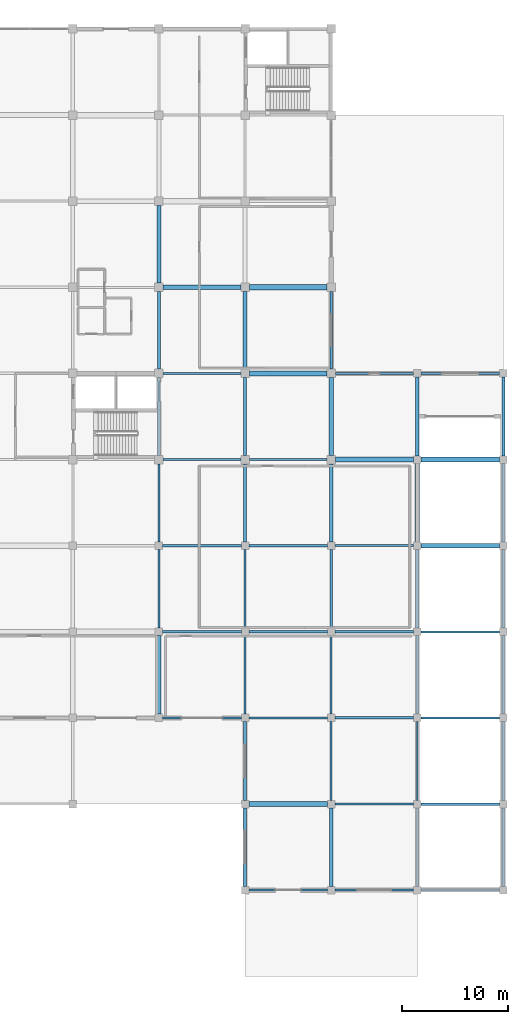
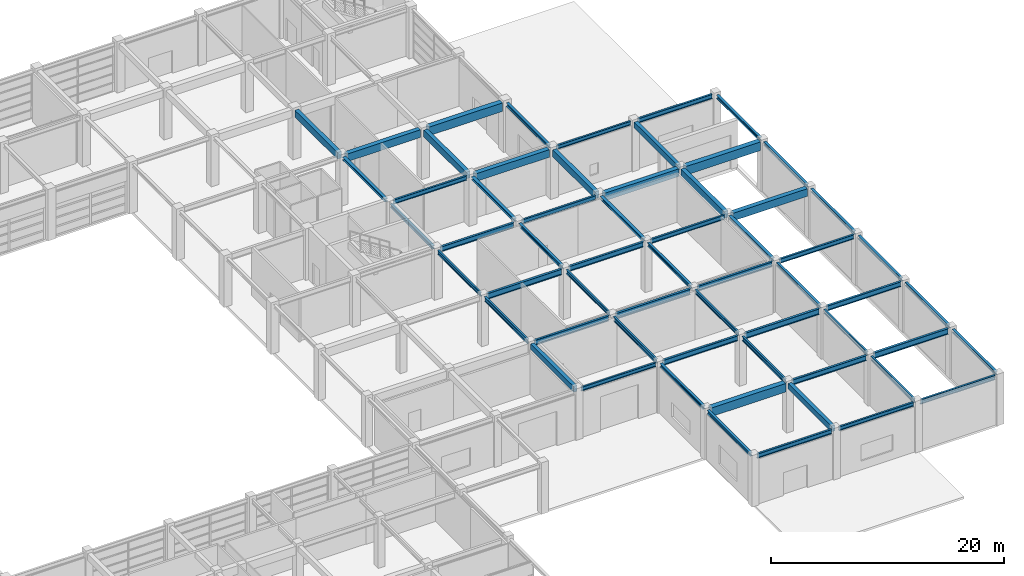
# One storey, part 26 of 52: 60 beams.
"""IFC4 building model written with IfcOpenShell, lengths in metres."""

import ifcopenshell
import ifcopenshell.guid

model = None  # the IFC model being written
_history = None  # IfcOwnerHistory: only IFC2X3 demands one
_inside = {}  # id of a spatial element -> (the spatial element, [elements in it])
_under = {}  # id of a project, library or spatial element -> (it, [spatial elements below it])
_declared = {}  # id of a project -> (the project, [libraries it declares])
_typed = {}  # id of a type object -> (the type object, [elements of that type])
_made_of = {}  # id of a material, layer set ... -> (it, [elements and type objects made of it])


def new_model(schema):
    """Start an empty IFC model of exactly this schema.

    Asked for "IFC4X3", IfcOpenShell would pick the latest addendum, in which some entities
    have other attributes; the version numbers below select the first issue.
    IFC2X3 requires an IfcOwnerHistory on every rooted entity: one is made here for all.
    """
    global model, _history
    if schema == "IFC4X3":
        model = ifcopenshell.file(schema_version=(4, 3, 0, 0))
    else:
        model = ifcopenshell.file(schema=schema)
    _inside.clear()
    _under.clear()
    _declared.clear()
    _typed.clear()
    _made_of.clear()
    _history = None
    if model.schema == "IFC2X3":
        org = make("IfcOrganization", Name="unknown")
        user = make(
            "IfcPersonAndOrganization",
            ThePerson=make("IfcPerson", FamilyName="unknown"),
            TheOrganization=org,
        )
        app = make(
            "IfcApplication",
            ApplicationDeveloper=org,
            Version="unknown",
            ApplicationFullName="unknown",
            ApplicationIdentifier="unknown",
        )
        _history = make(
            "IfcOwnerHistory",
            OwningUser=user,
            OwningApplication=app,
            ChangeAction="ADDED",
            CreationDate=0,
        )
    return model


def make(cls, **values):
    """One entity of the class cls with the attributes given. An attribute that is None is left unset."""
    return model.create_entity(
        cls, **{name: value for name, value in values.items() if value is not None}
    )


def rooted(cls, **values):
    """An entity with a GlobalId (a new one), such as an element, a storey or a relation."""
    return make(cls, GlobalId=ifcopenshell.guid.new(), OwnerHistory=_history, **values)


def si_unit(unit_type, name, prefix=None):
    """IfcSIUnit, for example si_unit("LENGTHUNIT", "METRE", prefix="MILLI")."""
    return make("IfcSIUnit", UnitType=unit_type, Prefix=prefix, Name=name)


def assignment(units):
    """IfcUnitAssignment: the units of a project."""
    return None if units is None else make("IfcUnitAssignment", Units=units)


def point(xyz):
    """IfcCartesianPoint."""
    return None if xyz is None else make("IfcCartesianPoint", Coordinates=xyz)


def direction(xyz):
    """IfcDirection."""
    return None if xyz is None else make("IfcDirection", DirectionRatios=xyz)


def frame(location, z_axis=None, x_axis=None):
    """IfcAxis2Placement3D, a coordinate frame: its origin and axes. An axis left out is left unset."""
    return make(
        "IfcAxis2Placement3D",
        Location=point(location),
        Axis=direction(z_axis),
        RefDirection=direction(x_axis),
    )


def frame_2d(location, x_axis=None):
    """IfcAxis2Placement2D, a coordinate frame in the plane: its origin and x axis."""
    return make(
        "IfcAxis2Placement2D", Location=point(location), RefDirection=direction(x_axis)
    )


def origin():
    """The frame at (0, 0, 0) with its axes left unset."""
    return frame((0.0, 0.0, 0.0))


def origin_2d():
    """The frame at (0, 0) in the plane with its x axis left unset."""
    return frame_2d((0.0, 0.0))


def place(relative_to, where):
    """IfcLocalPlacement: puts the frame where relative to a parent placement (None: the world)."""
    return make(
        "IfcLocalPlacement", PlacementRelTo=relative_to, RelativePlacement=where
    )


def context(
    kind, dimensions, precision=None, world=None, true_north=None, identifier=None
):
    """IfcGeometricRepresentationContext, for example the 3D "Model" context."""
    return make(
        "IfcGeometricRepresentationContext",
        ContextIdentifier=identifier,
        ContextType=kind,
        CoordinateSpaceDimension=dimensions,
        Precision=precision,
        WorldCoordinateSystem=world,
        TrueNorth=true_north,
    )


def subcontext(parent, identifier, kind, view, scale=None):
    """IfcGeometricRepresentationSubContext, for example "Body" below "Model"."""
    return make(
        "IfcGeometricRepresentationSubContext",
        ContextIdentifier=identifier,
        ContextType=kind,
        ParentContext=parent,
        TargetScale=scale,
        TargetView=view,
    )


def project(units=None, contexts=None):
    """IfcProject with its units and contexts."""
    return rooted(
        "IfcProject",
        Name="project",
        RepresentationContexts=contexts,
        UnitsInContext=assignment(units),
    )


def spatial(cls, under=None, at=None, **own):
    """A site, building, storey or space (cls), placed at a placement, below another one or the project."""
    s = rooted(cls, ObjectPlacement=at, **own)
    if under is not None:
        _under.setdefault(under.id(), (under, []))[1].append(s)
    return s


def profile(cls, at=None, kind="AREA", **sizes):
    """A parametric profile (cls). Its sizes go by their IFC names, for example OverallWidth=200.0."""
    return make(cls, ProfileType=kind, Position=at, **sizes)


def rectangle(**sizes):
    """IfcRectangleProfileDef."""
    return profile("IfcRectangleProfileDef", **sizes)


def i_section(**sizes):
    """IfcIShapeProfileDef."""
    return profile("IfcIShapeProfileDef", **sizes)


def extrude(swept, where, along, depth):
    """IfcExtrudedAreaSolid: the profile swept, set in the frame where, extruded along a direction by depth."""
    return make(
        "IfcExtrudedAreaSolid",
        SweptArea=swept,
        Position=where,
        ExtrudedDirection=direction(along),
        Depth=depth,
    )


def shape(context_of_items, identifier, shape_type, items):
    """IfcShapeRepresentation: the items that make up one representation, for example the "Body"."""
    return make(
        "IfcShapeRepresentation",
        ContextOfItems=context_of_items,
        RepresentationIdentifier=identifier,
        RepresentationType=shape_type,
        Items=items,
    )


def material(Name=None, Category=None):
    """IfcMaterial."""
    return make("IfcMaterial", Name=Name, Category=Category)


def material_profile(
    of_material, cross_section, Name=None, Category=None, Priority=None
):
    """IfcMaterialProfile: a cross section and its material."""
    return make(
        "IfcMaterialProfile",
        Name=Name,
        Material=of_material,
        Profile=cross_section,
        Priority=Priority,
        Category=Category,
    )


def profile_set(profiles, Name=None, composite=None):
    """IfcMaterialProfileSet."""
    return make(
        "IfcMaterialProfileSet",
        Name=Name,
        MaterialProfiles=profiles,
        CompositeProfile=composite,
    )


def made_of(thing, what):
    """Note that an element or type object is made of a material, layer set ...; save() writes the relation."""
    if what is not None:
        _made_of.setdefault(what.id(), (what, []))[1].append(thing)
    return thing


def type_object(cls, material=None, **own):
    """A type object (cls), such as IfcWallType, which elements share."""
    return made_of(rooted(cls, **own), material)


def element(
    cls,
    number,
    at=None,
    inside=None,
    cuts=None,
    type_object=None,
    material=None,
    context=None,
    identifier="Body",
    shape_type=None,
    held_by="IfcProductDefinitionShape",
    body=None,
    shapes=None,
    **own,
):
    """One element of the class cls, such as IfcWall. Its Tag is "e" and its number.

    at: its placement. inside: the storey or other place that contains it. cuts: it is an
    opening in that element (IfcRelVoidsElement). A single representation is given by context,
    identifier, shape_type and body (its items); several are given by shapes. held_by: the class
    of the entity that holds the representations. save() writes the other relations.
    """
    e = rooted(cls, Tag="e%d" % number, ObjectPlacement=at, **own)
    if body is not None:
        shapes = [shape(context, identifier, shape_type, body)]
    if shapes is not None:
        e.Representation = make(held_by, Representations=shapes)
    if inside is not None:
        _inside.setdefault(inside.id(), (inside, []))[1].append(e)
    if cuts is not None:
        rooted(
            "IfcRelVoidsElement", RelatingBuildingElement=cuts, RelatedOpeningElement=e
        )
    if type_object is not None:
        _typed.setdefault(type_object.id(), (type_object, []))[1].append(e)
    return made_of(e, material)


def aggregate(whole, parts):
    """IfcRelAggregates: a whole, such as a stair, and the parts it consists of."""
    return rooted("IfcRelAggregates", RelatingObject=whole, RelatedObjects=parts)


def save(model, path):
    """Write the relations noted so far, then the file.

    IfcRelAggregates (storeys below a building ...), IfcRelContainedInSpatialStructure (elements
    in a storey), IfcRelDefinesByType, IfcRelAssociatesMaterial and IfcRelDeclares: one each for
    every whole, place, type object, material and project.
    """
    for whole, parts in _under.values():
        aggregate(whole, parts)
    for where, things in _inside.values():
        rooted(
            "IfcRelContainedInSpatialStructure",
            RelatedElements=things,
            RelatingStructure=where,
        )
    for kind, things in _typed.values():
        rooted("IfcRelDefinesByType", RelatedObjects=things, RelatingType=kind)
    for what, things in _made_of.values():
        rooted("IfcRelAssociatesMaterial", RelatedObjects=things, RelatingMaterial=what)
    for by, libraries in _declared.values():
        rooted("IfcRelDeclares", RelatingContext=by, RelatedDefinitions=libraries)
    model.write(path)


model = new_model("IFC4")

# Units and contexts
model_context = context("Model", 3, precision=1e-05, world=origin(), true_north=direction((0.0, 1.0)))
body_context = subcontext(model_context, "Body", "Model", "MODEL_VIEW")
ifc_project = project(units=[si_unit("LENGTHUNIT", "METRE"), si_unit("AREAUNIT", "SQUARE_METRE"), si_unit("VOLUMEUNIT", "CUBIC_METRE"), si_unit("PLANEANGLEUNIT", "RADIAN"), si_unit("MASSUNIT", "GRAM", prefix="KILO")], contexts=[model_context])

# Site, building, storey
site_placement = place(None, origin())
site = spatial("IfcSite", under=ifc_project, at=site_placement, CompositionType="ELEMENT")
building_placement = place(site_placement, origin())
building = spatial("IfcBuilding", under=site, at=building_placement, Name="Parian Resonance Hall", CompositionType="ELEMENT")
storey_placement = place(building_placement, origin())
storey = spatial("IfcBuildingStorey", under=building, at=storey_placement, Name="L00", CompositionType="ELEMENT", Elevation=0.0)

# Beams
ifc_material_1 = material(Name="Concrete C40/50", Category="concrete")
ifc_material_profile_1 = material_profile(ifc_material_1, rectangle(XDim=0.35009765625, YDim=0.60009765625, at=origin_2d()), Name="RC-BM-350x600")
ifc_profile_set_1 = profile_set([ifc_material_profile_1], Name="Concrete C40/50")
beam_type_1 = type_object("IfcBeamType", Name="BM-RC350x600", PredefinedType="BEAM", material=ifc_profile_set_1)
for number, where, z_axis, x_axis, name in (
    (1, (129.60009765625, 24.64990234375, 4.8701171875), (0.0, 1.0, 0.0), (-1.0, 0.0, 0.0), "GY-L00-0473"),
    (2, (145.800048828125, 8.449951171875, 4.8701171875), (0.0, 1.0, 0.0), (-1.0, 0.0, 0.0), "GY-L00-0491"),
    (3, (153.89990234375, 48.949951171875, 4.8701171875), (0.0, 1.0, 0.0), (-1.0, 0.0, 0.0), "GY-L00-0506"),
):
    element("IfcBeam", number, at=place(storey_placement, frame(where, z_axis=z_axis, x_axis=x_axis)), inside=storey, type_object=beam_type_1, Name=name, PredefinedType="BEAM", context=body_context, shape_type="SweptSolid", body=[
        extrude(rectangle(XDim=0.35009765625, YDim=0.60009765625, at=origin_2d()), origin(), (0.0, 0.0, 1.0), 7.400146484375),
    ])
ifc_material_2 = material(Name="Concrete C40/50", Category="concrete")
ifc_material_profile_2 = material_profile(ifc_material_2, rectangle(XDim=0.39990234375, YDim=0.699951171875, at=origin_2d()), Name="RC-BM-400x700")
ifc_profile_set_2 = profile_set([ifc_material_profile_2], Name="Concrete C40/50")
beam_type_2 = type_object("IfcBeamType", Name="BM-RC400x700", PredefinedType="BEAM", material=ifc_profile_set_2)
beam_1_placement = place(storey_placement, frame((129.60009765625, 65.199951171875, 4.780029296875), z_axis=(0.0, 1.0, 0.0), x_axis=(-1.0, 0.0, 0.0)))
element("IfcBeam", 4, at=beam_1_placement, inside=storey, type_object=beam_type_2, Name="GY-L00-0478", PredefinedType="BEAM", context=body_context, shape_type="SweptSolid", body=[
    extrude(rectangle(XDim=0.39990234375, YDim=0.699951171875, at=origin_2d()), origin(), (0.0, 0.0, 1.0), 7.300048828125),
])
beam_2_placement = place(storey_placement, frame((137.699951171875, 57.10009765625, 4.780029296875), z_axis=(0.0, 1.0, 0.0), x_axis=(-1.0, 0.0, 0.0)))
element("IfcBeam", 5, at=beam_2_placement, inside=storey, type_object=beam_type_2, Name="GY-L00-0487", PredefinedType="BEAM", context=body_context, shape_type="SweptSolid", body=[
    extrude(rectangle(XDim=0.39990234375, YDim=0.699951171875, at=origin_2d()), origin(), (0.0, 0.0, 1.0), 7.2998046875),
])
beam_3_placement = place(storey_placement, frame((145.800048828125, 49.0, 4.780029296875), z_axis=(0.0, 1.0, 0.0), x_axis=(-1.0, 0.0, 0.0)))
element("IfcBeam", 6, at=beam_3_placement, inside=storey, type_object=beam_type_2, Name="GY-L00-0496", PredefinedType="BEAM", context=body_context, shape_type="SweptSolid", body=[
    extrude(rectangle(XDim=0.39990234375, YDim=0.699951171875, at=origin_2d()), origin(), (0.0, 0.0, 1.0), 7.300048828125),
])
beam_4_placement = place(storey_placement, frame((153.89990234375, 40.85009765625, 4.820068359375), z_axis=(0.0, 1.0, 0.0), x_axis=(-1.0, 0.0, 0.0)))
element("IfcBeam", 7, at=beam_4_placement, inside=storey, type_object=beam_type_2, Name="GY-L00-0505", PredefinedType="BEAM", context=body_context, shape_type="SweptSolid", body=[
    extrude(rectangle(XDim=0.39990234375, YDim=0.699951171875, at=origin_2d()), origin(), (0.0, 0.0, 1.0), 7.39990234375),
])
ifc_material_3 = material(Name="Concrete C40/50", Category="concrete")
ifc_material_profile_3 = material_profile(ifc_material_3, rectangle(XDim=0.449951171875, YDim=0.800048828125, at=origin_2d()), Name="RC-BM-450x800")
ifc_profile_set_3 = profile_set([ifc_material_profile_3], Name="Concrete C40/50")
beam_type_3 = type_object("IfcBeamType", Name="BM-RC450x800", PredefinedType="USERDEFINED", material=ifc_profile_set_3)
beam_5_placement = place(storey_placement, frame((130.0, 64.800048828125, 4.72998046875), z_axis=(1.0, 0.0, 0.0), x_axis=(0.0, 1.0, 0.0)))
element("IfcBeam", 8, at=beam_5_placement, inside=storey, type_object=beam_type_3, Name="GX-L00-0368", ObjectType="GIRDER", PredefinedType="USERDEFINED", context=body_context, shape_type="SweptSolid", body=[
    extrude(rectangle(XDim=0.449951171875, YDim=0.800048828125, at=origin_2d()), origin(), (0.0, 0.0, 1.0), 7.300048828125),
])
beam_6_placement = place(storey_placement, frame((138.10009765625, 56.699951171875, 4.72998046875), z_axis=(1.0, 0.0, 0.0), x_axis=(0.0, 1.0, 0.0)))
element("IfcBeam", 9, at=beam_6_placement, inside=storey, type_object=beam_type_3, Name="GX-L00-0378", ObjectType="GIRDER", PredefinedType="USERDEFINED", context=body_context, shape_type="SweptSolid", body=[
    extrude(rectangle(XDim=0.449951171875, YDim=0.800048828125, at=origin_2d()), origin(), (0.0, 0.0, 1.0), 7.2998046875),
])
beam_7_placement = place(storey_placement, frame((146.199951171875, 48.60009765625, 4.77001953125), z_axis=(1.0, 0.0, 0.0), x_axis=(0.0, 1.0, 0.0)))
element("IfcBeam", 10, at=beam_7_placement, inside=storey, type_object=beam_type_3, Name="GX-L00-0388", ObjectType="GIRDER", PredefinedType="USERDEFINED", context=body_context, shape_type="SweptSolid", body=[
    extrude(rectangle(XDim=0.449951171875, YDim=0.800048828125, at=origin_2d()), origin(), (0.0, 0.0, 1.0), 7.35009765625),
])
beam_8_placement = place(storey_placement, frame((154.25, 40.5, 4.77001953125), z_axis=(1.0, 0.0, 0.0), x_axis=(0.0, 1.0, 0.0)))
element("IfcBeam", 11, at=beam_8_placement, inside=storey, type_object=beam_type_3, Name="GX-L00-0394", ObjectType="GIRDER", PredefinedType="USERDEFINED", context=body_context, shape_type="SweptSolid", body=[
    extrude(rectangle(XDim=0.449951171875, YDim=0.800048828125, at=origin_2d()), origin(), (0.0, 0.0, 1.0), 7.39990234375),
])
ifc_material_4 = material(Name="Concrete C40/50", Category="concrete")
ifc_material_profile_4 = material_profile(ifc_material_4, rectangle(XDim=0.5, YDim=0.89990234375, at=origin_2d()), Name="RC-BM-500x900")
ifc_profile_set_4 = profile_set([ifc_material_profile_4], Name="Concrete C40/50")
beam_type_4 = type_object("IfcBeamType", Name="BM-RC500x900", PredefinedType="USERDEFINED", material=ifc_profile_set_4)
beam_9_placement = place(storey_placement, frame((138.050048828125, 16.199951171875, 4.719970703125), z_axis=(1.0, 0.0, 0.0), x_axis=(0.0, 1.0, 0.0)))
element("IfcBeam", 12, at=beam_9_placement, inside=storey, type_object=beam_type_4, Name="GX-L00-0373", ObjectType="GIRDER", PredefinedType="USERDEFINED", context=body_context, shape_type="SweptSolid", body=[
    extrude(rectangle(XDim=0.5, YDim=0.89990234375, at=origin_2d()), origin(), (0.0, 0.0, 1.0), 7.39990234375),
])
beam_10_placement = place(storey_placement, frame((138.10009765625, 64.800048828125, 4.679931640625), z_axis=(1.0, 0.0, 0.0), x_axis=(0.0, 1.0, 0.0)))
element("IfcBeam", 13, at=beam_10_placement, inside=storey, type_object=beam_type_4, Name="GX-L00-0379", ObjectType="GIRDER", PredefinedType="USERDEFINED", context=body_context, shape_type="SweptSolid", body=[
    extrude(rectangle(XDim=0.5, YDim=0.89990234375, at=origin_2d()), origin(), (0.0, 0.0, 1.0), 7.2998046875),
])
beam_11_placement = place(storey_placement, frame((154.25, 48.60009765625, 4.719970703125), z_axis=(1.0, 0.0, 0.0), x_axis=(0.0, 1.0, 0.0)))
element("IfcBeam", 14, at=beam_11_placement, inside=storey, type_object=beam_type_4, Name="GX-L00-0395", ObjectType="GIRDER", PredefinedType="USERDEFINED", context=body_context, shape_type="SweptSolid", body=[
    extrude(rectangle(XDim=0.5, YDim=0.89990234375, at=origin_2d()), origin(), (0.0, 0.0, 1.0), 7.39990234375),
])
ifc_material_5 = material(Name="Steel S355", Category="steel")
ifc_material_profile_5 = material_profile(ifc_material_5, i_section(OverallWidth=0.304931640625, OverallDepth=0.30810546875, WebThickness=0.010009765625, FlangeThickness=0.015380859375, FilletRadius=0.01513671875, at=origin_2d()), Name="W310x97")
ifc_profile_set_5 = profile_set([ifc_material_profile_5], Name="Steel S355")
beam_type_5 = type_object("IfcBeamType", Name="BM-W310x97", PredefinedType="BEAM", material=ifc_profile_set_5)
beam_12_placement = place(storey_placement, frame((129.60009765625, 57.10009765625, 4.97607421875), z_axis=(0.0, 1.0, 0.0), x_axis=(-1.0, 0.0, 0.0)))
element("IfcBeam", 15, at=beam_12_placement, inside=storey, type_object=beam_type_5, Name="GY-L00-0477", PredefinedType="BEAM", context=body_context, shape_type="SweptSolid", body=[
    extrude(i_section(OverallWidth=0.304931640625, OverallDepth=0.30810546875, WebThickness=0.010009765625, FlangeThickness=0.015380859375, FilletRadius=0.01513671875, at=origin_2d()), origin(), (0.0, 0.0, 1.0), 7.2998046875),
])
beam_13_placement = place(storey_placement, frame((137.699951171875, 49.0, 4.97607421875), z_axis=(0.0, 1.0, 0.0), x_axis=(-1.0, 0.0, 0.0)))
element("IfcBeam", 16, at=beam_13_placement, inside=storey, type_object=beam_type_5, Name="GY-L00-0486", PredefinedType="BEAM", context=body_context, shape_type="SweptSolid", body=[
    extrude(i_section(OverallWidth=0.304931640625, OverallDepth=0.30810546875, WebThickness=0.010009765625, FlangeThickness=0.015380859375, FilletRadius=0.01513671875, at=origin_2d()), origin(), (0.0, 0.0, 1.0), 7.300048828125),
])
beam_14_placement = place(storey_placement, frame((145.800048828125, 40.85009765625, 5.01611328125), z_axis=(0.0, 1.0, 0.0), x_axis=(-1.0, 0.0, 0.0)))
element("IfcBeam", 17, at=beam_14_placement, inside=storey, type_object=beam_type_5, Name="GY-L00-0495", PredefinedType="BEAM", context=body_context, shape_type="SweptSolid", body=[
    extrude(i_section(OverallWidth=0.304931640625, OverallDepth=0.30810546875, WebThickness=0.010009765625, FlangeThickness=0.015380859375, FilletRadius=0.01513671875, at=origin_2d()), origin(), (0.0, 0.0, 1.0), 7.349853515625),
])
beam_15_placement = place(storey_placement, frame((153.89990234375, 32.75, 5.01611328125), z_axis=(0.0, 1.0, 0.0), x_axis=(-1.0, 0.0, 0.0)))
element("IfcBeam", 18, at=beam_15_placement, inside=storey, type_object=beam_type_5, Name="GY-L00-0504", PredefinedType="BEAM", context=body_context, shape_type="SweptSolid", body=[
    extrude(i_section(OverallWidth=0.304931640625, OverallDepth=0.30810546875, WebThickness=0.010009765625, FlangeThickness=0.015380859375, FilletRadius=0.01513671875, at=origin_2d()), origin(), (0.0, 0.0, 1.0), 7.39990234375),
])
ifc_material_6 = material(Name="Steel S355", Category="steel")
ifc_material_profile_6 = material_profile(ifc_material_6, i_section(OverallWidth=0.2548828125, OverallDepth=0.35693359375, WebThickness=0.010498046875, FlangeThickness=0.018310546875, FilletRadius=0.01513671875, at=origin_2d()), Name="W360x101")
ifc_profile_set_6 = profile_set([ifc_material_profile_6], Name="Steel S355")
beam_type_6 = type_object("IfcBeamType", Name="BM-W360x101", PredefinedType="SPANDREL", material=ifc_profile_set_6)
beam_16_placement = place(storey_placement, frame((129.60009765625, 49.0, 4.951416015625), z_axis=(0.0, 1.0, 0.0), x_axis=(-1.0, 0.0, 0.0)))
element("IfcBeam", 19, at=beam_16_placement, inside=storey, type_object=beam_type_6, Name="GY-L00-0476", PredefinedType="SPANDREL", context=body_context, shape_type="SweptSolid", body=[
    extrude(i_section(OverallWidth=0.2548828125, OverallDepth=0.35693359375, WebThickness=0.010498046875, FlangeThickness=0.018310546875, FilletRadius=0.01513671875, at=origin_2d()), origin(), (0.0, 0.0, 1.0), 7.300048828125),
])
beam_17_placement = place(storey_placement, frame((137.699951171875, 8.449951171875, 4.991455078125), z_axis=(0.0, 1.0, 0.0), x_axis=(-1.0, 0.0, 0.0)))
element("IfcBeam", 20, at=beam_17_placement, inside=storey, type_object=beam_type_6, Name="GY-L00-0481", PredefinedType="SPANDREL", context=body_context, shape_type="SweptSolid", body=[
    extrude(i_section(OverallWidth=0.2548828125, OverallDepth=0.35693359375, WebThickness=0.010498046875, FlangeThickness=0.018310546875, FilletRadius=0.01513671875, at=origin_2d()), origin(), (0.0, 0.0, 1.0), 7.400146484375),
])
beam_18_placement = place(storey_placement, frame((137.699951171875, 16.550048828125, 4.991455078125), z_axis=(0.0, 1.0, 0.0), x_axis=(-1.0, 0.0, 0.0)))
element("IfcBeam", 21, at=beam_18_placement, inside=storey, type_object=beam_type_6, Name="GY-L00-0482", PredefinedType="SPANDREL", context=body_context, shape_type="SweptSolid", body=[
    extrude(i_section(OverallWidth=0.2548828125, OverallDepth=0.35693359375, WebThickness=0.010498046875, FlangeThickness=0.018310546875, FilletRadius=0.01513671875, at=origin_2d()), origin(), (0.0, 0.0, 1.0), 7.39990234375),
])
beam_19_placement = place(storey_placement, frame((137.699951171875, 40.85009765625, 4.991455078125), z_axis=(0.0, 1.0, 0.0), x_axis=(-1.0, 0.0, 0.0)))
element("IfcBeam", 22, at=beam_19_placement, inside=storey, type_object=beam_type_6, Name="GY-L00-0485", PredefinedType="SPANDREL", context=body_context, shape_type="SweptSolid", body=[
    extrude(i_section(OverallWidth=0.2548828125, OverallDepth=0.35693359375, WebThickness=0.010498046875, FlangeThickness=0.018310546875, FilletRadius=0.01513671875, at=origin_2d()), origin(), (0.0, 0.0, 1.0), 7.349853515625),
])
beam_20_placement = place(storey_placement, frame((145.800048828125, 32.75, 4.991455078125), z_axis=(0.0, 1.0, 0.0), x_axis=(-1.0, 0.0, 0.0)))
element("IfcBeam", 23, at=beam_20_placement, inside=storey, type_object=beam_type_6, Name="GY-L00-0494", PredefinedType="SPANDREL", context=body_context, shape_type="SweptSolid", body=[
    extrude(i_section(OverallWidth=0.2548828125, OverallDepth=0.35693359375, WebThickness=0.010498046875, FlangeThickness=0.018310546875, FilletRadius=0.01513671875, at=origin_2d()), origin(), (0.0, 0.0, 1.0), 7.39990234375),
])
beam_21_placement = place(storey_placement, frame((145.800048828125, 57.10009765625, 4.951416015625), z_axis=(0.0, 1.0, 0.0), x_axis=(-1.0, 0.0, 0.0)))
element("IfcBeam", 24, at=beam_21_placement, inside=storey, type_object=beam_type_6, Name="GY-L00-0497", PredefinedType="SPANDREL", context=body_context, shape_type="SweptSolid", body=[
    extrude(i_section(OverallWidth=0.2548828125, OverallDepth=0.35693359375, WebThickness=0.010498046875, FlangeThickness=0.018310546875, FilletRadius=0.01513671875, at=origin_2d()), origin(), (0.0, 0.0, 1.0), 7.2998046875),
])
for number, where, z_axis, x_axis, name in (
    (25, (153.89990234375, 24.64990234375, 4.991455078125), (0.0, 1.0, 0.0), (-1.0, 0.0, 0.0), "GY-L00-0503"),
    (26, (162.0, 8.449951171875, 4.991455078125), (0.0, 1.0, 0.0), (-1.0, 0.0, 0.0), "GY-L00-0507"),
):
    element("IfcBeam", number, at=place(storey_placement, frame(where, z_axis=z_axis, x_axis=x_axis)), inside=storey, type_object=beam_type_6, Name=name, PredefinedType="SPANDREL", context=body_context, shape_type="SweptSolid", body=[
        extrude(i_section(OverallWidth=0.2548828125, OverallDepth=0.35693359375, WebThickness=0.010498046875, FlangeThickness=0.018310546875, FilletRadius=0.01513671875, at=origin_2d()), origin(), (0.0, 0.0, 1.0), 7.400146484375),
    ])
beam_22_placement = place(storey_placement, frame((162.0, 16.550048828125, 4.991455078125), z_axis=(0.0, 1.0, 0.0), x_axis=(-1.0, 0.0, 0.0)))
element("IfcBeam", 27, at=beam_22_placement, inside=storey, type_object=beam_type_6, Name="GY-L00-0508", PredefinedType="SPANDREL", context=body_context, shape_type="SweptSolid", body=[
    extrude(i_section(OverallWidth=0.2548828125, OverallDepth=0.35693359375, WebThickness=0.010498046875, FlangeThickness=0.018310546875, FilletRadius=0.01513671875, at=origin_2d()), origin(), (0.0, 0.0, 1.0), 7.39990234375),
])
beam_23_placement = place(storey_placement, frame((162.0, 24.64990234375, 4.991455078125), z_axis=(0.0, 1.0, 0.0), x_axis=(-1.0, 0.0, 0.0)))
element("IfcBeam", 28, at=beam_23_placement, inside=storey, type_object=beam_type_6, Name="GY-L00-0509", PredefinedType="SPANDREL", context=body_context, shape_type="SweptSolid", body=[
    extrude(i_section(OverallWidth=0.2548828125, OverallDepth=0.35693359375, WebThickness=0.010498046875, FlangeThickness=0.018310546875, FilletRadius=0.01513671875, at=origin_2d()), origin(), (0.0, 0.0, 1.0), 7.400146484375),
])
for number, where, z_axis, x_axis, name in (
    (29, (162.0, 32.75, 4.991455078125), (0.0, 1.0, 0.0), (-1.0, 0.0, 0.0), "GY-L00-0510"),
    (30, (162.0, 40.85009765625, 4.991455078125), (0.0, 1.0, 0.0), (-1.0, 0.0, 0.0), "GY-L00-0511"),
):
    element("IfcBeam", number, at=place(storey_placement, frame(where, z_axis=z_axis, x_axis=x_axis)), inside=storey, type_object=beam_type_6, Name=name, PredefinedType="SPANDREL", context=body_context, shape_type="SweptSolid", body=[
        extrude(i_section(OverallWidth=0.2548828125, OverallDepth=0.35693359375, WebThickness=0.010498046875, FlangeThickness=0.018310546875, FilletRadius=0.01513671875, at=origin_2d()), origin(), (0.0, 0.0, 1.0), 7.39990234375),
    ])
beam_24_placement = place(storey_placement, frame((162.0, 48.949951171875, 4.991455078125), z_axis=(0.0, 1.0, 0.0), x_axis=(-1.0, 0.0, 0.0)))
element("IfcBeam", 31, at=beam_24_placement, inside=storey, type_object=beam_type_6, Name="GY-L00-0512", PredefinedType="SPANDREL", context=body_context, shape_type="SweptSolid", body=[
    extrude(i_section(OverallWidth=0.2548828125, OverallDepth=0.35693359375, WebThickness=0.010498046875, FlangeThickness=0.018310546875, FilletRadius=0.01513671875, at=origin_2d()), origin(), (0.0, 0.0, 1.0), 7.400146484375),
])
ifc_material_7 = material(Name="Steel S355", Category="steel")
ifc_material_profile_7 = material_profile(ifc_material_7, i_section(OverallWidth=0.180908203125, OverallDepth=0.4169921875, WebThickness=0.010986328125, FlangeThickness=0.018310546875, FilletRadius=0.01513671875, at=origin_2d()), Name="W410x85")
ifc_profile_set_7 = profile_set([ifc_material_profile_7], Name="Steel S355")
beam_type_7 = type_object("IfcBeamType", Name="BM-W410x85", PredefinedType="SPANDREL", material=ifc_profile_set_7)
for number, where, z_axis, x_axis, name in (
    (32, (129.949951171875, 24.300048828125, 4.96142578125), (1.0, 0.0, 0.0), (0.0, 1.0, 0.0), "GX-L00-0363"),
    (33, (146.14990234375, 8.10009765625, 4.96142578125), (1.0, 0.0, 0.0), (0.0, 1.0, 0.0), "GX-L00-0383"),
):
    element("IfcBeam", number, at=place(storey_placement, frame(where, z_axis=z_axis, x_axis=x_axis)), inside=storey, type_object=beam_type_7, Name=name, PredefinedType="SPANDREL", context=body_context, shape_type="SweptSolid", body=[
        extrude(i_section(OverallWidth=0.180908203125, OverallDepth=0.4169921875, WebThickness=0.010986328125, FlangeThickness=0.018310546875, FilletRadius=0.01513671875, at=origin_2d()), origin(), (0.0, 0.0, 1.0), 7.400146484375),
    ])
beam_25_placement = place(storey_placement, frame((146.199951171875, 56.699951171875, 4.96142578125), z_axis=(1.0, 0.0, 0.0), x_axis=(0.0, 1.0, 0.0)))
element("IfcBeam", 34, at=beam_25_placement, inside=storey, type_object=beam_type_7, Name="GX-L00-0389", PredefinedType="SPANDREL", context=body_context, shape_type="SweptSolid", body=[
    extrude(i_section(OverallWidth=0.180908203125, OverallDepth=0.4169921875, WebThickness=0.010986328125, FlangeThickness=0.018310546875, FilletRadius=0.01513671875, at=origin_2d()), origin(), (0.0, 0.0, 1.0), 7.35009765625),
])
beam_26_placement = place(storey_placement, frame((129.60009765625, 40.85009765625, 4.96142578125), z_axis=(0.0, 1.0, 0.0), x_axis=(-1.0, 0.0, 0.0)))
element("IfcBeam", 35, at=beam_26_placement, inside=storey, type_object=beam_type_7, Name="GY-L00-0475", PredefinedType="SPANDREL", context=body_context, shape_type="SweptSolid", body=[
    extrude(i_section(OverallWidth=0.180908203125, OverallDepth=0.4169921875, WebThickness=0.010986328125, FlangeThickness=0.018310546875, FilletRadius=0.01513671875, at=origin_2d()), origin(), (0.0, 0.0, 1.0), 7.349853515625),
])
beam_27_placement = place(storey_placement, frame((137.699951171875, 32.75, 4.96142578125), z_axis=(0.0, 1.0, 0.0), x_axis=(-1.0, 0.0, 0.0)))
element("IfcBeam", 36, at=beam_27_placement, inside=storey, type_object=beam_type_7, Name="GY-L00-0484", PredefinedType="SPANDREL", context=body_context, shape_type="SweptSolid", body=[
    extrude(i_section(OverallWidth=0.180908203125, OverallDepth=0.4169921875, WebThickness=0.010986328125, FlangeThickness=0.018310546875, FilletRadius=0.01513671875, at=origin_2d()), origin(), (0.0, 0.0, 1.0), 7.39990234375),
])
beam_28_placement = place(storey_placement, frame((145.800048828125, 24.64990234375, 4.96142578125), z_axis=(0.0, 1.0, 0.0), x_axis=(-1.0, 0.0, 0.0)))
element("IfcBeam", 37, at=beam_28_placement, inside=storey, type_object=beam_type_7, Name="GY-L00-0493", PredefinedType="SPANDREL", context=body_context, shape_type="SweptSolid", body=[
    extrude(i_section(OverallWidth=0.180908203125, OverallDepth=0.4169921875, WebThickness=0.010986328125, FlangeThickness=0.018310546875, FilletRadius=0.01513671875, at=origin_2d()), origin(), (0.0, 0.0, 1.0), 7.400146484375),
])
beam_29_placement = place(storey_placement, frame((153.89990234375, 16.550048828125, 4.96142578125), z_axis=(0.0, 1.0, 0.0), x_axis=(-1.0, 0.0, 0.0)))
element("IfcBeam", 38, at=beam_29_placement, inside=storey, type_object=beam_type_7, Name="GY-L00-0502", PredefinedType="SPANDREL", context=body_context, shape_type="SweptSolid", body=[
    extrude(i_section(OverallWidth=0.180908203125, OverallDepth=0.4169921875, WebThickness=0.010986328125, FlangeThickness=0.018310546875, FilletRadius=0.01513671875, at=origin_2d()), origin(), (0.0, 0.0, 1.0), 7.39990234375),
])
ifc_material_8 = material(Name="Steel S355", Category="steel")
ifc_material_profile_8 = material_profile(ifc_material_8, i_section(OverallWidth=0.194091796875, OverallDepth=0.468994140625, WebThickness=0.0126953125, FlangeThickness=0.0205078125, FilletRadius=0.01513671875, at=origin_2d()), Name="W460x106")
ifc_profile_set_8 = profile_set([ifc_material_profile_8], Name="Steel S355")
beam_type_8 = type_object("IfcBeamType", Name="BM-W460x106", PredefinedType="SPANDREL", material=ifc_profile_set_8)
for number, where, z_axis, x_axis, name in (
    (39, (138.050048828125, 8.10009765625, 4.935546875), (1.0, 0.0, 0.0), (0.0, 1.0, 0.0), "GX-L00-0372"),
    (40, (154.25, 8.10009765625, 4.935546875), (1.0, 0.0, 0.0), (0.0, 1.0, 0.0), "GX-L00-0390"),
    (41, (154.25, 56.699951171875, 4.935546875), (1.0, 0.0, 0.0), (0.0, 1.0, 0.0), "GX-L00-0396"),
    (42, (129.60009765625, 32.75, 4.935546875), (0.0, 1.0, 0.0), (-1.0, 0.0, 0.0), "GY-L00-0474"),
):
    element("IfcBeam", number, at=place(storey_placement, frame(where, z_axis=z_axis, x_axis=x_axis)), inside=storey, type_object=beam_type_8, Name=name, PredefinedType="SPANDREL", context=body_context, shape_type="SweptSolid", body=[
        extrude(i_section(OverallWidth=0.194091796875, OverallDepth=0.468994140625, WebThickness=0.0126953125, FlangeThickness=0.0205078125, FilletRadius=0.01513671875, at=origin_2d()), origin(), (0.0, 0.0, 1.0), 7.39990234375),
    ])
beam_30_placement = place(storey_placement, frame((137.699951171875, 24.64990234375, 4.935546875), z_axis=(0.0, 1.0, 0.0), x_axis=(-1.0, 0.0, 0.0)))
element("IfcBeam", 43, at=beam_30_placement, inside=storey, type_object=beam_type_8, Name="GY-L00-0483", PredefinedType="SPANDREL", context=body_context, shape_type="SweptSolid", body=[
    extrude(i_section(OverallWidth=0.194091796875, OverallDepth=0.468994140625, WebThickness=0.0126953125, FlangeThickness=0.0205078125, FilletRadius=0.01513671875, at=origin_2d()), origin(), (0.0, 0.0, 1.0), 7.400146484375),
])
beam_31_placement = place(storey_placement, frame((145.800048828125, 16.550048828125, 4.935546875), z_axis=(0.0, 1.0, 0.0), x_axis=(-1.0, 0.0, 0.0)))
element("IfcBeam", 44, at=beam_31_placement, inside=storey, type_object=beam_type_8, Name="GY-L00-0492", PredefinedType="SPANDREL", context=body_context, shape_type="SweptSolid", body=[
    extrude(i_section(OverallWidth=0.194091796875, OverallDepth=0.468994140625, WebThickness=0.0126953125, FlangeThickness=0.0205078125, FilletRadius=0.01513671875, at=origin_2d()), origin(), (0.0, 0.0, 1.0), 7.39990234375),
])
beam_32_placement = place(storey_placement, frame((153.89990234375, 8.449951171875, 4.935546875), z_axis=(0.0, 1.0, 0.0), x_axis=(-1.0, 0.0, 0.0)))
element("IfcBeam", 45, at=beam_32_placement, inside=storey, type_object=beam_type_8, Name="GY-L00-0501", PredefinedType="SPANDREL", context=body_context, shape_type="SweptSolid", body=[
    extrude(i_section(OverallWidth=0.194091796875, OverallDepth=0.468994140625, WebThickness=0.0126953125, FlangeThickness=0.0205078125, FilletRadius=0.01513671875, at=origin_2d()), origin(), (0.0, 0.0, 1.0), 7.400146484375),
])
ifc_material_9 = material(Name="Steel S355", Category="steel")
ifc_material_profile_9 = material_profile(ifc_material_9, i_section(OverallWidth=0.19091796875, OverallDepth=0.4599609375, WebThickness=0.010009765625, FlangeThickness=0.01611328125, FilletRadius=0.01513671875, at=origin_2d()), Name="W460x82")
ifc_profile_set_9 = profile_set([ifc_material_profile_9], Name="Steel S355")
beam_type_9 = type_object("IfcBeamType", Name="BM-W460x82", PredefinedType="BEAM", material=ifc_profile_set_9)
beam_33_placement = place(storey_placement, frame((130.0, 56.699951171875, 4.89990234375), z_axis=(1.0, 0.0, 0.0), x_axis=(0.0, 1.0, 0.0)))
element("IfcBeam", 46, at=beam_33_placement, inside=storey, type_object=beam_type_9, Name="GX-L00-0367", PredefinedType="BEAM", context=body_context, shape_type="SweptSolid", body=[
    extrude(i_section(OverallWidth=0.19091796875, OverallDepth=0.4599609375, WebThickness=0.010009765625, FlangeThickness=0.01611328125, FilletRadius=0.01513671875, at=origin_2d()), origin(), (0.0, 0.0, 1.0), 7.300048828125),
])
beam_34_placement = place(storey_placement, frame((138.10009765625, 48.60009765625, 4.89990234375), z_axis=(1.0, 0.0, 0.0), x_axis=(0.0, 1.0, 0.0)))
element("IfcBeam", 47, at=beam_34_placement, inside=storey, type_object=beam_type_9, Name="GX-L00-0377", PredefinedType="BEAM", context=body_context, shape_type="SweptSolid", body=[
    extrude(i_section(OverallWidth=0.19091796875, OverallDepth=0.4599609375, WebThickness=0.010009765625, FlangeThickness=0.01611328125, FilletRadius=0.01513671875, at=origin_2d()), origin(), (0.0, 0.0, 1.0), 7.2998046875),
])
beam_35_placement = place(storey_placement, frame((146.14990234375, 40.5, 4.93994140625), z_axis=(1.0, 0.0, 0.0), x_axis=(0.0, 1.0, 0.0)))
element("IfcBeam", 48, at=beam_35_placement, inside=storey, type_object=beam_type_9, Name="GX-L00-0387", PredefinedType="BEAM", context=body_context, shape_type="SweptSolid", body=[
    extrude(i_section(OverallWidth=0.19091796875, OverallDepth=0.4599609375, WebThickness=0.010009765625, FlangeThickness=0.01611328125, FilletRadius=0.01513671875, at=origin_2d()), origin(), (0.0, 0.0, 1.0), 7.400146484375),
])
beam_36_placement = place(storey_placement, frame((154.25, 32.39990234375, 4.93994140625), z_axis=(1.0, 0.0, 0.0), x_axis=(0.0, 1.0, 0.0)))
element("IfcBeam", 49, at=beam_36_placement, inside=storey, type_object=beam_type_9, Name="GX-L00-0393", PredefinedType="BEAM", context=body_context, shape_type="SweptSolid", body=[
    extrude(i_section(OverallWidth=0.19091796875, OverallDepth=0.4599609375, WebThickness=0.010009765625, FlangeThickness=0.01611328125, FilletRadius=0.01513671875, at=origin_2d()), origin(), (0.0, 0.0, 1.0), 7.39990234375),
])
ifc_material_10 = material(Name="Steel S355", Category="steel")
ifc_material_profile_10 = material_profile(ifc_material_10, i_section(OverallWidth=0.2119140625, OverallDepth=0.5439453125, WebThickness=0.01318359375, FlangeThickness=0.021240234375, FilletRadius=0.017822265625, at=origin_2d()), Name="W530x123")
ifc_profile_set_10 = profile_set([ifc_material_profile_10], Name="Steel S355")
beam_type_10 = type_object("IfcBeamType", Name="BM-W530x123", PredefinedType="USERDEFINED", material=ifc_profile_set_10)
beam_37_placement = place(storey_placement, frame((129.949951171875, 32.39990234375, 4.89794921875), z_axis=(1.0, 0.0, 0.0), x_axis=(0.0, 1.0, 0.0)))
element("IfcBeam", 50, at=beam_37_placement, inside=storey, type_object=beam_type_10, Name="GX-L00-0364", ObjectType="GIRDER", PredefinedType="USERDEFINED", context=body_context, shape_type="SweptSolid", body=[
    extrude(i_section(OverallWidth=0.2119140625, OverallDepth=0.5439453125, WebThickness=0.01318359375, FlangeThickness=0.021240234375, FilletRadius=0.017822265625, at=origin_2d()), origin(), (0.0, 0.0, 1.0), 7.400146484375),
])
beam_38_placement = place(storey_placement, frame((138.050048828125, 24.300048828125, 4.89794921875), z_axis=(1.0, 0.0, 0.0), x_axis=(0.0, 1.0, 0.0)))
element("IfcBeam", 51, at=beam_38_placement, inside=storey, type_object=beam_type_10, Name="GX-L00-0374", ObjectType="GIRDER", PredefinedType="USERDEFINED", context=body_context, shape_type="SweptSolid", body=[
    extrude(i_section(OverallWidth=0.2119140625, OverallDepth=0.5439453125, WebThickness=0.01318359375, FlangeThickness=0.021240234375, FilletRadius=0.017822265625, at=origin_2d()), origin(), (0.0, 0.0, 1.0), 7.39990234375),
])
beam_39_placement = place(storey_placement, frame((146.14990234375, 16.199951171875, 4.89794921875), z_axis=(1.0, 0.0, 0.0), x_axis=(0.0, 1.0, 0.0)))
element("IfcBeam", 52, at=beam_39_placement, inside=storey, type_object=beam_type_10, Name="GX-L00-0384", ObjectType="GIRDER", PredefinedType="USERDEFINED", context=body_context, shape_type="SweptSolid", body=[
    extrude(i_section(OverallWidth=0.2119140625, OverallDepth=0.5439453125, WebThickness=0.01318359375, FlangeThickness=0.021240234375, FilletRadius=0.017822265625, at=origin_2d()), origin(), (0.0, 0.0, 1.0), 7.400146484375),
])
ifc_material_11 = material(Name="Steel S355", Category="steel")
ifc_material_profile_11 = material_profile(ifc_material_11, i_section(OverallWidth=0.208984375, OverallDepth=0.532958984375, WebThickness=0.01025390625, FlangeThickness=0.015625, FilletRadius=0.017822265625, at=origin_2d()), Name="W530x92")
ifc_profile_set_11 = profile_set([ifc_material_profile_11], Name="Steel S355")
beam_type_11 = type_object("IfcBeamType", Name="BM-W530x92", PredefinedType="BEAM", material=ifc_profile_set_11)
beam_40_placement = place(storey_placement, frame((130.0, 48.60009765625, 4.863525390625), z_axis=(1.0, 0.0, 0.0), x_axis=(0.0, 1.0, 0.0)))
element("IfcBeam", 53, at=beam_40_placement, inside=storey, type_object=beam_type_11, Name="GX-L00-0366", PredefinedType="BEAM", context=body_context, shape_type="SweptSolid", body=[
    extrude(i_section(OverallWidth=0.208984375, OverallDepth=0.532958984375, WebThickness=0.01025390625, FlangeThickness=0.015625, FilletRadius=0.017822265625, at=origin_2d()), origin(), (0.0, 0.0, 1.0), 7.300048828125),
])
beam_41_placement = place(storey_placement, frame((138.050048828125, 40.5, 4.903564453125), z_axis=(1.0, 0.0, 0.0), x_axis=(0.0, 1.0, 0.0)))
element("IfcBeam", 54, at=beam_41_placement, inside=storey, type_object=beam_type_11, Name="GX-L00-0376", PredefinedType="BEAM", context=body_context, shape_type="SweptSolid", body=[
    extrude(i_section(OverallWidth=0.208984375, OverallDepth=0.532958984375, WebThickness=0.01025390625, FlangeThickness=0.015625, FilletRadius=0.017822265625, at=origin_2d()), origin(), (0.0, 0.0, 1.0), 7.39990234375),
])
beam_42_placement = place(storey_placement, frame((146.14990234375, 32.39990234375, 4.903564453125), z_axis=(1.0, 0.0, 0.0), x_axis=(0.0, 1.0, 0.0)))
element("IfcBeam", 55, at=beam_42_placement, inside=storey, type_object=beam_type_11, Name="GX-L00-0386", PredefinedType="BEAM", context=body_context, shape_type="SweptSolid", body=[
    extrude(i_section(OverallWidth=0.208984375, OverallDepth=0.532958984375, WebThickness=0.01025390625, FlangeThickness=0.015625, FilletRadius=0.017822265625, at=origin_2d()), origin(), (0.0, 0.0, 1.0), 7.400146484375),
])
beam_43_placement = place(storey_placement, frame((154.25, 24.300048828125, 4.903564453125), z_axis=(1.0, 0.0, 0.0), x_axis=(0.0, 1.0, 0.0)))
element("IfcBeam", 56, at=beam_43_placement, inside=storey, type_object=beam_type_11, Name="GX-L00-0392", PredefinedType="BEAM", context=body_context, shape_type="SweptSolid", body=[
    extrude(i_section(OverallWidth=0.208984375, OverallDepth=0.532958984375, WebThickness=0.01025390625, FlangeThickness=0.015625, FilletRadius=0.017822265625, at=origin_2d()), origin(), (0.0, 0.0, 1.0), 7.39990234375),
])
ifc_material_12 = material(Name="Steel S355", Category="steel")
ifc_material_profile_12 = material_profile(ifc_material_12, i_section(OverallWidth=0.22802734375, OverallDepth=0.60791015625, WebThickness=0.01123046875, FlangeThickness=0.017333984375, FilletRadius=0.017822265625, at=origin_2d()), Name="W610x113")
ifc_profile_set_12 = profile_set([ifc_material_profile_12], Name="Steel S355")
beam_type_12 = type_object("IfcBeamType", Name="BM-W610x113", PredefinedType="USERDEFINED", material=ifc_profile_set_12)
beam_44_placement = place(storey_placement, frame((129.949951171875, 40.5, 4.865966796875), z_axis=(1.0, 0.0, 0.0), x_axis=(0.0, 1.0, 0.0)))
element("IfcBeam", 57, at=beam_44_placement, inside=storey, type_object=beam_type_12, Name="GX-L00-0365", ObjectType="GIRDER", PredefinedType="USERDEFINED", context=body_context, shape_type="SweptSolid", body=[
    extrude(i_section(OverallWidth=0.22802734375, OverallDepth=0.60791015625, WebThickness=0.01123046875, FlangeThickness=0.017333984375, FilletRadius=0.017822265625, at=origin_2d()), origin(), (0.0, 0.0, 1.0), 7.400146484375),
])
beam_45_placement = place(storey_placement, frame((138.050048828125, 32.39990234375, 4.865966796875), z_axis=(1.0, 0.0, 0.0), x_axis=(0.0, 1.0, 0.0)))
element("IfcBeam", 58, at=beam_45_placement, inside=storey, type_object=beam_type_12, Name="GX-L00-0375", ObjectType="GIRDER", PredefinedType="USERDEFINED", context=body_context, shape_type="SweptSolid", body=[
    extrude(i_section(OverallWidth=0.22802734375, OverallDepth=0.60791015625, WebThickness=0.01123046875, FlangeThickness=0.017333984375, FilletRadius=0.017822265625, at=origin_2d()), origin(), (0.0, 0.0, 1.0), 7.39990234375),
])
beam_46_placement = place(storey_placement, frame((146.14990234375, 24.300048828125, 4.865966796875), z_axis=(1.0, 0.0, 0.0), x_axis=(0.0, 1.0, 0.0)))
element("IfcBeam", 59, at=beam_46_placement, inside=storey, type_object=beam_type_12, Name="GX-L00-0385", ObjectType="GIRDER", PredefinedType="USERDEFINED", context=body_context, shape_type="SweptSolid", body=[
    extrude(i_section(OverallWidth=0.22802734375, OverallDepth=0.60791015625, WebThickness=0.01123046875, FlangeThickness=0.017333984375, FilletRadius=0.017822265625, at=origin_2d()), origin(), (0.0, 0.0, 1.0), 7.400146484375),
])
beam_47_placement = place(storey_placement, frame((154.25, 16.199951171875, 4.865966796875), z_axis=(1.0, 0.0, 0.0), x_axis=(0.0, 1.0, 0.0)))
element("IfcBeam", 60, at=beam_47_placement, inside=storey, type_object=beam_type_12, Name="GX-L00-0391", ObjectType="GIRDER", PredefinedType="USERDEFINED", context=body_context, shape_type="SweptSolid", body=[
    extrude(i_section(OverallWidth=0.22802734375, OverallDepth=0.60791015625, WebThickness=0.01123046875, FlangeThickness=0.017333984375, FilletRadius=0.017822265625, at=origin_2d()), origin(), (0.0, 0.0, 1.0), 7.39990234375),
])

save(model, "model.ifc")
